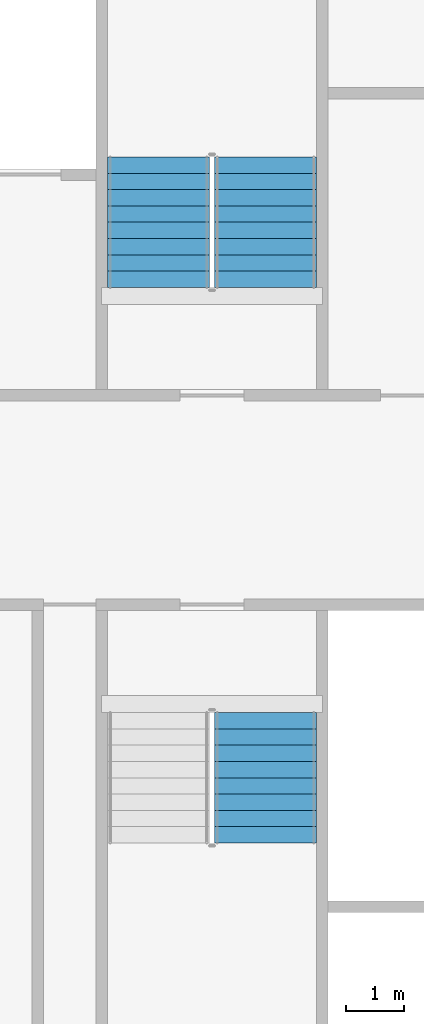
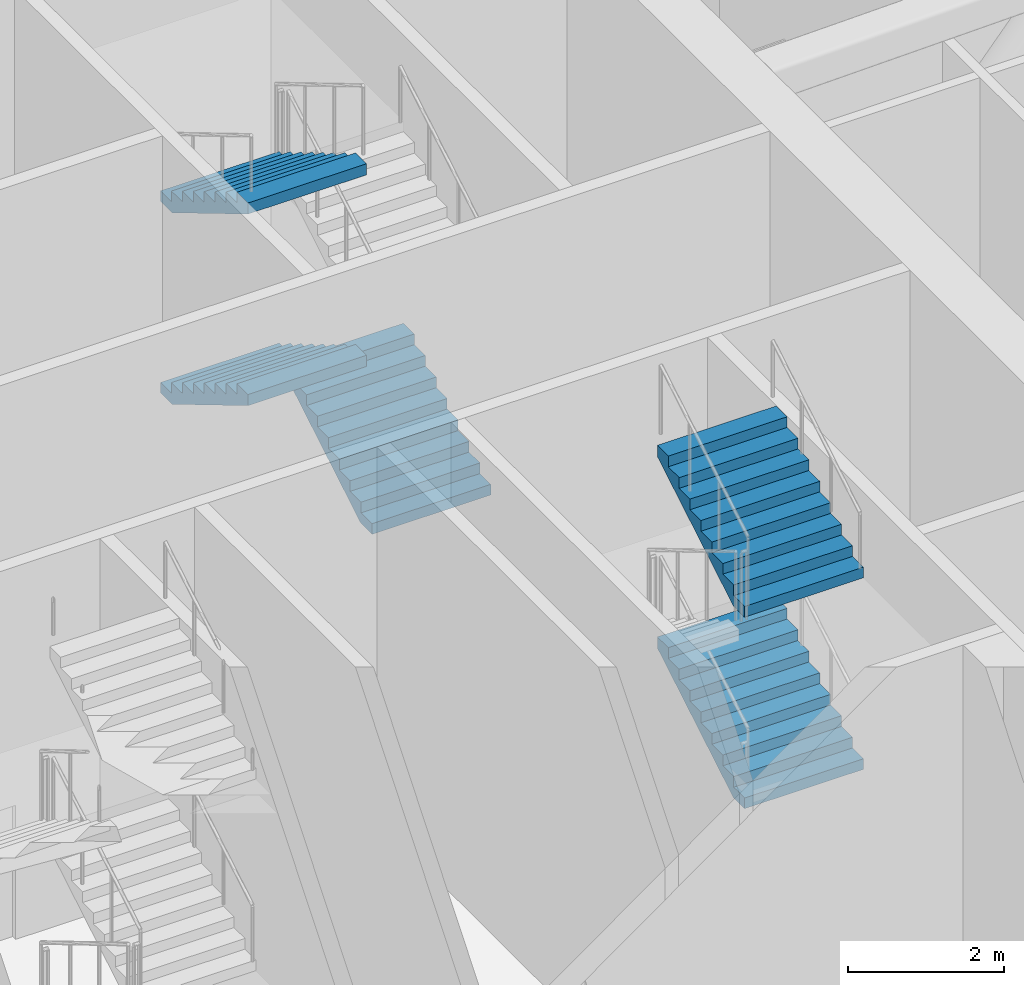
# One storey, part 29 of 36: 5 stair flights, 2 elements without a shape of their own.
"""IFC4 building model written with IfcOpenShell, lengths in metres."""

from ifc_helpers import new_model, si_unit, direction, frame, origin, place, context, subcontext, project, spatial, faceted_brep, material, type_object, element, aggregate, save


model = new_model("IFC4")

# Units and contexts
model_context = context("Model", 3, precision=1e-05, world=origin(), true_north=direction((0.0, 1.0)))
body_context = subcontext(model_context, "Body", "Model", "MODEL_VIEW")
ifc_project = project(units=[si_unit("LENGTHUNIT", "METRE"), si_unit("AREAUNIT", "SQUARE_METRE"), si_unit("VOLUMEUNIT", "CUBIC_METRE"), si_unit("PLANEANGLEUNIT", "RADIAN"), si_unit("MASSUNIT", "GRAM", prefix="KILO")], contexts=[model_context])

# Site, building, storey
site_placement = place(None, origin())
site = spatial("IfcSite", under=ifc_project, at=site_placement, CompositionType="ELEMENT")
building_placement = place(site_placement, origin())
building = spatial("IfcBuilding", under=site, at=building_placement, Name="Tarsis Ring Headquarters", CompositionType="ELEMENT")
storey_placement = place(building_placement, frame((0.0, 0.0, 194.39990234375)))
storey = spatial("IfcBuildingStorey", under=building, at=storey_placement, Name="L45", CompositionType="ELEMENT", Elevation=194.39990234375)

# Stair, stair flights
ifc_material_1 = material(Name="Core stair 1760")
stair_type = type_object("IfcStairType", Name="Core stair 1760", PredefinedType="HALF_TURN_STAIR", material=ifc_material_1)
stair_1_placement = place(storey_placement, origin())
stair_1 = element("IfcStair", 1, at=stair_1_placement, inside=storey, type_object=stair_type, Name="L45 Exit stair B", PredefinedType="HALF_TURN_STAIR")
ifc_material_2 = material(Name="Concrete C40/50", Category="concrete")
stair_flight_type = type_object("IfcStairFlightType", Name="Core stair flight 1760", PredefinedType="STRAIGHT", material=ifc_material_2)
stair_flight_1_placement = place(storey_placement, frame((5.419921875, 3.659912109375, 0.0), z_axis=(0.0, 0.0, 1.0), x_axis=(0.0, 1.0, 0.0)))
stair_flight_1 = element("IfcStairFlight", 2, at=stair_flight_1_placement, type_object=stair_flight_type, Name="Stair ST2 flight 1", NumberOfRisers=9, NumberOfTreads=8, PredefinedType="STRAIGHT", RiserHeight=0.166666667, TreadLength=0.28, context=body_context, shape_type="Brep", body=[
    faceted_brep([(0.0, 0.8798828125, 0.0), (0.0, 0.8798828125, 0.166748046875), (0.280029296875, 0.8798828125, 0.166748046875), (0.280029296875, 0.8798828125, 0.333251953125), (0.56005859375, 0.8798828125, 0.333251953125), (0.56005859375, 0.8798828125, 0.5), (0.840087890625, 0.8798828125, 0.5), (0.840087890625, 0.8798828125, 0.666748046875), (1.1201171875, 0.8798828125, 0.666748046875), (1.1201171875, 0.8798828125, 0.833251953125), (1.39990234375, 0.8798828125, 0.833251953125), (1.39990234375, 0.8798828125, 1.0), (1.679931640625, 0.8798828125, 1.0), (1.679931640625, 0.8798828125, 1.166748046875), (1.9599609375, 0.8798828125, 1.166748046875), (1.9599609375, 0.8798828125, 1.333251953125), (2.239990234375, 0.8798828125, 1.333251953125), (2.239990234375, 0.8798828125, 1.158935546875), (0.29296875, 0.8798828125, 0.0), (0.29296875, -0.8798828125, 0.0), (2.239990234375, -0.8798828125, 1.158935546875), (2.239990234375, -0.8798828125, 1.333251953125), (1.9599609375, -0.8798828125, 1.333251953125), (1.9599609375, -0.8798828125, 1.166748046875), (1.679931640625, -0.8798828125, 1.166748046875), (1.679931640625, -0.8798828125, 1.0), (1.39990234375, -0.8798828125, 1.0), (1.39990234375, -0.8798828125, 0.833251953125), (1.1201171875, -0.8798828125, 0.833251953125), (1.1201171875, -0.8798828125, 0.666748046875), (0.840087890625, -0.8798828125, 0.666748046875), (0.840087890625, -0.8798828125, 0.5), (0.56005859375, -0.8798828125, 0.5), (0.56005859375, -0.8798828125, 0.333251953125), (0.280029296875, -0.8798828125, 0.333251953125), (0.280029296875, -0.8798828125, 0.166748046875), (0.0, -0.8798828125, 0.166748046875), (0.0, -0.8798828125, 0.0), (0.0, -0.43994140625, 0.166748046875), (0.0, -0.43994140625, 0.0), (0.0, 0.0, 0.166748046875), (0.0, 0.0, 0.0), (0.0, 0.43994140625, 0.166748046875), (0.0, 0.43994140625, 0.0), (0.280029296875, -0.43994140625, 0.166748046875), (0.280029296875, 0.0, 0.166748046875), (0.280029296875, 0.43994140625, 0.166748046875), (0.280029296875, -0.43994140625, 0.333251953125), (0.280029296875, 0.0, 0.333251953125), (0.280029296875, 0.43994140625, 0.333251953125), (0.56005859375, -0.43994140625, 0.333251953125), (0.56005859375, 0.0, 0.333251953125), (0.56005859375, 0.43994140625, 0.333251953125), (0.56005859375, -0.43994140625, 0.5), (0.56005859375, 0.0, 0.5), (0.56005859375, 0.43994140625, 0.5), (0.840087890625, -0.43994140625, 0.5), (0.840087890625, 0.0, 0.5), (0.840087890625, 0.43994140625, 0.5), (0.840087890625, -0.43994140625, 0.666748046875), (0.840087890625, 0.0, 0.666748046875), (0.840087890625, 0.43994140625, 0.666748046875), (1.1201171875, -0.43994140625, 0.666748046875), (1.1201171875, 0.0, 0.666748046875), (1.1201171875, 0.43994140625, 0.666748046875), (1.1201171875, -0.43994140625, 0.833251953125), (1.1201171875, 0.0, 0.833251953125), (1.1201171875, 0.43994140625, 0.833251953125), (1.39990234375, -0.43994140625, 0.833251953125), (1.39990234375, 0.0, 0.833251953125), (1.39990234375, 0.43994140625, 0.833251953125), (1.39990234375, -0.43994140625, 1.0), (1.39990234375, 0.0, 1.0), (1.39990234375, 0.43994140625, 1.0), (1.679931640625, -0.43994140625, 1.0), (1.679931640625, 0.0, 1.0), (1.679931640625, 0.43994140625, 1.0), (1.679931640625, -0.43994140625, 1.166748046875), (1.679931640625, 0.0, 1.166748046875), (1.679931640625, 0.43994140625, 1.166748046875), (1.9599609375, -0.43994140625, 1.166748046875), (1.9599609375, 0.0, 1.166748046875), (1.9599609375, 0.43994140625, 1.166748046875), (1.9599609375, -0.43994140625, 1.333251953125), (1.9599609375, 0.0, 1.333251953125), (1.9599609375, 0.43994140625, 1.333251953125), (2.239990234375, -0.43994140625, 1.333251953125), (2.239990234375, 0.0, 1.333251953125), (2.239990234375, 0.43994140625, 1.333251953125), (2.239990234375, -0.43994140625, 1.158935546875), (2.239990234375, 0.0, 1.158935546875), (2.239990234375, 0.43994140625, 1.158935546875), (0.29296875, -0.43994140625, 0.0), (0.29296875, 0.0, 0.0), (0.29296875, 0.43994140625, 0.0)], [[[0, 1, 2, 3, 4, 5, 6, 7, 8, 9, 10, 11, 12, 13, 14, 15, 16, 17, 18]], [[19, 20, 21, 22, 23, 24, 25, 26, 27, 28, 29, 30, 31, 32, 33, 34, 35, 36, 37]], [[37, 36, 38, 39]], [[39, 38, 40, 41]], [[41, 40, 42, 43]], [[43, 42, 1, 0]], [[36, 35, 44, 38]], [[38, 44, 45, 40]], [[40, 45, 46, 42]], [[42, 46, 2, 1]], [[35, 34, 47, 44]], [[44, 47, 48, 45]], [[45, 48, 49, 46]], [[46, 49, 3, 2]], [[34, 33, 50, 47]], [[47, 50, 51, 48]], [[48, 51, 52, 49]], [[49, 52, 4, 3]], [[33, 32, 53, 50]], [[50, 53, 54, 51]], [[51, 54, 55, 52]], [[52, 55, 5, 4]], [[32, 31, 56, 53]], [[53, 56, 57, 54]], [[54, 57, 58, 55]], [[55, 58, 6, 5]], [[31, 30, 59, 56]], [[56, 59, 60, 57]], [[57, 60, 61, 58]], [[58, 61, 7, 6]], [[30, 29, 62, 59]], [[59, 62, 63, 60]], [[60, 63, 64, 61]], [[61, 64, 8, 7]], [[29, 28, 65, 62]], [[62, 65, 66, 63]], [[63, 66, 67, 64]], [[64, 67, 9, 8]], [[28, 27, 68, 65]], [[65, 68, 69, 66]], [[66, 69, 70, 67]], [[67, 70, 10, 9]], [[27, 26, 71, 68]], [[68, 71, 72, 69]], [[69, 72, 73, 70]], [[70, 73, 11, 10]], [[26, 25, 74, 71]], [[71, 74, 75, 72]], [[72, 75, 76, 73]], [[73, 76, 12, 11]], [[25, 24, 77, 74]], [[74, 77, 78, 75]], [[75, 78, 79, 76]], [[76, 79, 13, 12]], [[24, 23, 80, 77]], [[77, 80, 81, 78]], [[78, 81, 82, 79]], [[79, 82, 14, 13]], [[23, 22, 83, 80]], [[80, 83, 84, 81]], [[81, 84, 85, 82]], [[82, 85, 15, 14]], [[22, 21, 86, 83]], [[83, 86, 87, 84]], [[84, 87, 88, 85]], [[85, 88, 16, 15]], [[21, 20, 89, 86]], [[86, 89, 90, 87]], [[87, 90, 91, 88]], [[88, 91, 17, 16]], [[20, 19, 92, 89]], [[89, 92, 93, 90]], [[90, 93, 94, 91]], [[91, 94, 18, 17]], [[19, 37, 39, 92]], [[92, 39, 41, 93]], [[93, 41, 43, 94]], [[94, 43, 0, 18]]]),
])
stair_flight_2_placement = place(storey_placement, frame((3.580078125, 5.89990234375, 1.5), z_axis=(0.0, 0.0, 1.0), x_axis=(0.0, -1.0, 0.0)))
stair_flight_2 = element("IfcStairFlight", 3, at=stair_flight_2_placement, type_object=stair_flight_type, Name="Stair ST2 flight 2", NumberOfRisers=9, NumberOfTreads=8, PredefinedType="STRAIGHT", RiserHeight=0.166666667, TreadLength=0.28, context=body_context, shape_type="Brep", body=[
    faceted_brep([(0.0, 0.8798828125, 0.0), (0.0, 0.8798828125, 0.166748046875), (0.280029296875, 0.8798828125, 0.166748046875), (0.280029296875, 0.8798828125, 0.333251953125), (0.56005859375, 0.8798828125, 0.333251953125), (0.56005859375, 0.8798828125, 0.5), (0.840087890625, 0.8798828125, 0.5), (0.840087890625, 0.8798828125, 0.666748046875), (1.1201171875, 0.8798828125, 0.666748046875), (1.1201171875, 0.8798828125, 0.833251953125), (1.39990234375, 0.8798828125, 0.833251953125), (1.39990234375, 0.8798828125, 1.0), (1.679931640625, 0.8798828125, 1.0), (1.679931640625, 0.8798828125, 1.166748046875), (1.9599609375, 0.8798828125, 1.166748046875), (1.9599609375, 0.8798828125, 1.333251953125), (2.239990234375, 0.8798828125, 1.333251953125), (2.239990234375, 0.8798828125, 1.158935546875), (0.29296875, 0.8798828125, 0.0), (0.29296875, -0.8798828125, 0.0), (2.239990234375, -0.8798828125, 1.158935546875), (2.239990234375, -0.8798828125, 1.333251953125), (1.9599609375, -0.8798828125, 1.333251953125), (1.9599609375, -0.8798828125, 1.166748046875), (1.679931640625, -0.8798828125, 1.166748046875), (1.679931640625, -0.8798828125, 1.0), (1.39990234375, -0.8798828125, 1.0), (1.39990234375, -0.8798828125, 0.833251953125), (1.1201171875, -0.8798828125, 0.833251953125), (1.1201171875, -0.8798828125, 0.666748046875), (0.840087890625, -0.8798828125, 0.666748046875), (0.840087890625, -0.8798828125, 0.5), (0.56005859375, -0.8798828125, 0.5), (0.56005859375, -0.8798828125, 0.333251953125), (0.280029296875, -0.8798828125, 0.333251953125), (0.280029296875, -0.8798828125, 0.166748046875), (0.0, -0.8798828125, 0.166748046875), (0.0, -0.8798828125, 0.0), (0.0, -0.43994140625, 0.166748046875), (0.0, -0.43994140625, 0.0), (0.0, 0.0, 0.166748046875), (0.0, 0.0, 0.0), (0.0, 0.43994140625, 0.166748046875), (0.0, 0.43994140625, 0.0), (0.280029296875, -0.43994140625, 0.166748046875), (0.280029296875, 0.0, 0.166748046875), (0.280029296875, 0.43994140625, 0.166748046875), (0.280029296875, -0.43994140625, 0.333251953125), (0.280029296875, 0.0, 0.333251953125), (0.280029296875, 0.43994140625, 0.333251953125), (0.56005859375, -0.43994140625, 0.333251953125), (0.56005859375, 0.0, 0.333251953125), (0.56005859375, 0.43994140625, 0.333251953125), (0.56005859375, -0.43994140625, 0.5), (0.56005859375, 0.0, 0.5), (0.56005859375, 0.43994140625, 0.5), (0.840087890625, -0.43994140625, 0.5), (0.840087890625, 0.0, 0.5), (0.840087890625, 0.43994140625, 0.5), (0.840087890625, -0.43994140625, 0.666748046875), (0.840087890625, 0.0, 0.666748046875), (0.840087890625, 0.43994140625, 0.666748046875), (1.1201171875, -0.43994140625, 0.666748046875), (1.1201171875, 0.0, 0.666748046875), (1.1201171875, 0.43994140625, 0.666748046875), (1.1201171875, -0.43994140625, 0.833251953125), (1.1201171875, 0.0, 0.833251953125), (1.1201171875, 0.43994140625, 0.833251953125), (1.39990234375, -0.43994140625, 0.833251953125), (1.39990234375, 0.0, 0.833251953125), (1.39990234375, 0.43994140625, 0.833251953125), (1.39990234375, -0.43994140625, 1.0), (1.39990234375, 0.0, 1.0), (1.39990234375, 0.43994140625, 1.0), (1.679931640625, -0.43994140625, 1.0), (1.679931640625, 0.0, 1.0), (1.679931640625, 0.43994140625, 1.0), (1.679931640625, -0.43994140625, 1.166748046875), (1.679931640625, 0.0, 1.166748046875), (1.679931640625, 0.43994140625, 1.166748046875), (1.9599609375, -0.43994140625, 1.166748046875), (1.9599609375, 0.0, 1.166748046875), (1.9599609375, 0.43994140625, 1.166748046875), (1.9599609375, -0.43994140625, 1.333251953125), (1.9599609375, 0.0, 1.333251953125), (1.9599609375, 0.43994140625, 1.333251953125), (2.239990234375, -0.43994140625, 1.333251953125), (2.239990234375, 0.0, 1.333251953125), (2.239990234375, 0.43994140625, 1.333251953125), (2.239990234375, -0.43994140625, 1.158935546875), (2.239990234375, 0.0, 1.158935546875), (2.239990234375, 0.43994140625, 1.158935546875), (0.29296875, -0.43994140625, 0.0), (0.29296875, 0.0, 0.0), (0.29296875, 0.43994140625, 0.0)], [[[0, 1, 2, 3, 4, 5, 6, 7, 8, 9, 10, 11, 12, 13, 14, 15, 16, 17, 18]], [[19, 20, 21, 22, 23, 24, 25, 26, 27, 28, 29, 30, 31, 32, 33, 34, 35, 36, 37]], [[37, 36, 38, 39]], [[39, 38, 40, 41]], [[41, 40, 42, 43]], [[43, 42, 1, 0]], [[36, 35, 44, 38]], [[38, 44, 45, 40]], [[40, 45, 46, 42]], [[42, 46, 2, 1]], [[35, 34, 47, 44]], [[44, 47, 48, 45]], [[45, 48, 49, 46]], [[46, 49, 3, 2]], [[34, 33, 50, 47]], [[47, 50, 51, 48]], [[48, 51, 52, 49]], [[49, 52, 4, 3]], [[33, 32, 53, 50]], [[50, 53, 54, 51]], [[51, 54, 55, 52]], [[52, 55, 5, 4]], [[32, 31, 56, 53]], [[53, 56, 57, 54]], [[54, 57, 58, 55]], [[55, 58, 6, 5]], [[31, 30, 59, 56]], [[56, 59, 60, 57]], [[57, 60, 61, 58]], [[58, 61, 7, 6]], [[30, 29, 62, 59]], [[59, 62, 63, 60]], [[60, 63, 64, 61]], [[61, 64, 8, 7]], [[29, 28, 65, 62]], [[62, 65, 66, 63]], [[63, 66, 67, 64]], [[64, 67, 9, 8]], [[28, 27, 68, 65]], [[65, 68, 69, 66]], [[66, 69, 70, 67]], [[67, 70, 10, 9]], [[27, 26, 71, 68]], [[68, 71, 72, 69]], [[69, 72, 73, 70]], [[70, 73, 11, 10]], [[26, 25, 74, 71]], [[71, 74, 75, 72]], [[72, 75, 76, 73]], [[73, 76, 12, 11]], [[25, 24, 77, 74]], [[74, 77, 78, 75]], [[75, 78, 79, 76]], [[76, 79, 13, 12]], [[24, 23, 80, 77]], [[77, 80, 81, 78]], [[78, 81, 82, 79]], [[79, 82, 14, 13]], [[23, 22, 83, 80]], [[80, 83, 84, 81]], [[81, 84, 85, 82]], [[82, 85, 15, 14]], [[22, 21, 86, 83]], [[83, 86, 87, 84]], [[84, 87, 88, 85]], [[85, 88, 16, 15]], [[21, 20, 89, 86]], [[86, 89, 90, 87]], [[87, 90, 91, 88]], [[88, 91, 17, 16]], [[20, 19, 92, 89]], [[89, 92, 93, 90]], [[90, 93, 94, 91]], [[91, 94, 18, 17]], [[19, 37, 39, 92]], [[92, 39, 41, 93]], [[93, 41, 43, 94]], [[94, 43, 0, 18]]]),
])
stair_flight_3_placement = place(storey_placement, frame((3.580078125, 5.89990234375, 4.5), z_axis=(0.0, 0.0, 1.0), x_axis=(0.0, -1.0, 0.0)))
stair_flight_3 = element("IfcStairFlight", 4, at=stair_flight_3_placement, type_object=stair_flight_type, Name="Stair ST2 flight 4", NumberOfRisers=9, NumberOfTreads=8, PredefinedType="STRAIGHT", RiserHeight=0.166666667, TreadLength=0.28, context=body_context, shape_type="Brep", body=[
    faceted_brep([(0.0, 0.8798828125, 0.0), (0.0, 0.8798828125, 0.166748046875), (0.280029296875, 0.8798828125, 0.166748046875), (0.280029296875, 0.8798828125, 0.333251953125), (0.56005859375, 0.8798828125, 0.333251953125), (0.56005859375, 0.8798828125, 0.5), (0.840087890625, 0.8798828125, 0.5), (0.840087890625, 0.8798828125, 0.666748046875), (1.1201171875, 0.8798828125, 0.666748046875), (1.1201171875, 0.8798828125, 0.833251953125), (1.39990234375, 0.8798828125, 0.833251953125), (1.39990234375, 0.8798828125, 1.0), (1.679931640625, 0.8798828125, 1.0), (1.679931640625, 0.8798828125, 1.166748046875), (1.9599609375, 0.8798828125, 1.166748046875), (1.9599609375, 0.8798828125, 1.333251953125), (2.239990234375, 0.8798828125, 1.333251953125), (2.239990234375, 0.8798828125, 1.158935546875), (0.29296875, 0.8798828125, 0.0), (0.29296875, -0.8798828125, 0.0), (2.239990234375, -0.8798828125, 1.158935546875), (2.239990234375, -0.8798828125, 1.333251953125), (1.9599609375, -0.8798828125, 1.333251953125), (1.9599609375, -0.8798828125, 1.166748046875), (1.679931640625, -0.8798828125, 1.166748046875), (1.679931640625, -0.8798828125, 1.0), (1.39990234375, -0.8798828125, 1.0), (1.39990234375, -0.8798828125, 0.833251953125), (1.1201171875, -0.8798828125, 0.833251953125), (1.1201171875, -0.8798828125, 0.666748046875), (0.840087890625, -0.8798828125, 0.666748046875), (0.840087890625, -0.8798828125, 0.5), (0.56005859375, -0.8798828125, 0.5), (0.56005859375, -0.8798828125, 0.333251953125), (0.280029296875, -0.8798828125, 0.333251953125), (0.280029296875, -0.8798828125, 0.166748046875), (0.0, -0.8798828125, 0.166748046875), (0.0, -0.8798828125, 0.0), (0.0, -0.43994140625, 0.166748046875), (0.0, -0.43994140625, 0.0), (0.0, 0.0, 0.166748046875), (0.0, 0.0, 0.0), (0.0, 0.43994140625, 0.166748046875), (0.0, 0.43994140625, 0.0), (0.280029296875, -0.43994140625, 0.166748046875), (0.280029296875, 0.0, 0.166748046875), (0.280029296875, 0.43994140625, 0.166748046875), (0.280029296875, -0.43994140625, 0.333251953125), (0.280029296875, 0.0, 0.333251953125), (0.280029296875, 0.43994140625, 0.333251953125), (0.56005859375, -0.43994140625, 0.333251953125), (0.56005859375, 0.0, 0.333251953125), (0.56005859375, 0.43994140625, 0.333251953125), (0.56005859375, -0.43994140625, 0.5), (0.56005859375, 0.0, 0.5), (0.56005859375, 0.43994140625, 0.5), (0.840087890625, -0.43994140625, 0.5), (0.840087890625, 0.0, 0.5), (0.840087890625, 0.43994140625, 0.5), (0.840087890625, -0.43994140625, 0.666748046875), (0.840087890625, 0.0, 0.666748046875), (0.840087890625, 0.43994140625, 0.666748046875), (1.1201171875, -0.43994140625, 0.666748046875), (1.1201171875, 0.0, 0.666748046875), (1.1201171875, 0.43994140625, 0.666748046875), (1.1201171875, -0.43994140625, 0.833251953125), (1.1201171875, 0.0, 0.833251953125), (1.1201171875, 0.43994140625, 0.833251953125), (1.39990234375, -0.43994140625, 0.833251953125), (1.39990234375, 0.0, 0.833251953125), (1.39990234375, 0.43994140625, 0.833251953125), (1.39990234375, -0.43994140625, 1.0), (1.39990234375, 0.0, 1.0), (1.39990234375, 0.43994140625, 1.0), (1.679931640625, -0.43994140625, 1.0), (1.679931640625, 0.0, 1.0), (1.679931640625, 0.43994140625, 1.0), (1.679931640625, -0.43994140625, 1.166748046875), (1.679931640625, 0.0, 1.166748046875), (1.679931640625, 0.43994140625, 1.166748046875), (1.9599609375, -0.43994140625, 1.166748046875), (1.9599609375, 0.0, 1.166748046875), (1.9599609375, 0.43994140625, 1.166748046875), (1.9599609375, -0.43994140625, 1.333251953125), (1.9599609375, 0.0, 1.333251953125), (1.9599609375, 0.43994140625, 1.333251953125), (2.239990234375, -0.43994140625, 1.333251953125), (2.239990234375, 0.0, 1.333251953125), (2.239990234375, 0.43994140625, 1.333251953125), (2.239990234375, -0.43994140625, 1.158935546875), (2.239990234375, 0.0, 1.158935546875), (2.239990234375, 0.43994140625, 1.158935546875), (0.29296875, -0.43994140625, 0.0), (0.29296875, 0.0, 0.0), (0.29296875, 0.43994140625, 0.0)], [[[0, 1, 2, 3, 4, 5, 6, 7, 8, 9, 10, 11, 12, 13, 14, 15, 16, 17, 18]], [[19, 20, 21, 22, 23, 24, 25, 26, 27, 28, 29, 30, 31, 32, 33, 34, 35, 36, 37]], [[37, 36, 38, 39]], [[39, 38, 40, 41]], [[41, 40, 42, 43]], [[43, 42, 1, 0]], [[36, 35, 44, 38]], [[38, 44, 45, 40]], [[40, 45, 46, 42]], [[42, 46, 2, 1]], [[35, 34, 47, 44]], [[44, 47, 48, 45]], [[45, 48, 49, 46]], [[46, 49, 3, 2]], [[34, 33, 50, 47]], [[47, 50, 51, 48]], [[48, 51, 52, 49]], [[49, 52, 4, 3]], [[33, 32, 53, 50]], [[50, 53, 54, 51]], [[51, 54, 55, 52]], [[52, 55, 5, 4]], [[32, 31, 56, 53]], [[53, 56, 57, 54]], [[54, 57, 58, 55]], [[55, 58, 6, 5]], [[31, 30, 59, 56]], [[56, 59, 60, 57]], [[57, 60, 61, 58]], [[58, 61, 7, 6]], [[30, 29, 62, 59]], [[59, 62, 63, 60]], [[60, 63, 64, 61]], [[61, 64, 8, 7]], [[29, 28, 65, 62]], [[62, 65, 66, 63]], [[63, 66, 67, 64]], [[64, 67, 9, 8]], [[28, 27, 68, 65]], [[65, 68, 69, 66]], [[66, 69, 70, 67]], [[67, 70, 10, 9]], [[27, 26, 71, 68]], [[68, 71, 72, 69]], [[69, 72, 73, 70]], [[70, 73, 11, 10]], [[26, 25, 74, 71]], [[71, 74, 75, 72]], [[72, 75, 76, 73]], [[73, 76, 12, 11]], [[25, 24, 77, 74]], [[74, 77, 78, 75]], [[75, 78, 79, 76]], [[76, 79, 13, 12]], [[24, 23, 80, 77]], [[77, 80, 81, 78]], [[78, 81, 82, 79]], [[79, 82, 14, 13]], [[23, 22, 83, 80]], [[80, 83, 84, 81]], [[81, 84, 85, 82]], [[82, 85, 15, 14]], [[22, 21, 86, 83]], [[83, 86, 87, 84]], [[84, 87, 88, 85]], [[85, 88, 16, 15]], [[21, 20, 89, 86]], [[86, 89, 90, 87]], [[87, 90, 91, 88]], [[88, 91, 17, 16]], [[20, 19, 92, 89]], [[89, 92, 93, 90]], [[90, 93, 94, 91]], [[91, 94, 18, 17]], [[19, 37, 39, 92]], [[92, 39, 41, 93]], [[93, 41, 43, 94]], [[94, 43, 0, 18]]]),
])
aggregate(stair_1, [stair_flight_1, stair_flight_2, stair_flight_3])

stair_2_placement = place(storey_placement, origin())
stair_2 = element("IfcStair", 5, at=stair_2_placement, inside=storey, type_object=stair_type, Name="L45 Exit stair D", PredefinedType="HALF_TURN_STAIR")
stair_flight_4_placement = place(storey_placement, frame((5.419921875, -5.89990234375, 1.5), z_axis=(0.0, 0.0, 1.0), x_axis=(0.0, 1.0, 0.0)))
stair_flight_4 = element("IfcStairFlight", 6, at=stair_flight_4_placement, type_object=stair_flight_type, Name="Stair ST4 flight 2", NumberOfRisers=9, NumberOfTreads=8, PredefinedType="STRAIGHT", RiserHeight=0.166666667, TreadLength=0.28, context=body_context, shape_type="Brep", body=[
    faceted_brep([(0.0, 0.8798828125, 0.0), (0.0, 0.8798828125, 0.166748046875), (0.280029296875, 0.8798828125, 0.166748046875), (0.280029296875, 0.8798828125, 0.333251953125), (0.56005859375, 0.8798828125, 0.333251953125), (0.56005859375, 0.8798828125, 0.5), (0.840087890625, 0.8798828125, 0.5), (0.840087890625, 0.8798828125, 0.666748046875), (1.1201171875, 0.8798828125, 0.666748046875), (1.1201171875, 0.8798828125, 0.833251953125), (1.39990234375, 0.8798828125, 0.833251953125), (1.39990234375, 0.8798828125, 1.0), (1.679931640625, 0.8798828125, 1.0), (1.679931640625, 0.8798828125, 1.166748046875), (1.9599609375, 0.8798828125, 1.166748046875), (1.9599609375, 0.8798828125, 1.333251953125), (2.239990234375, 0.8798828125, 1.333251953125), (2.239990234375, 0.8798828125, 1.158935546875), (0.29296875, 0.8798828125, 0.0), (0.29296875, -0.8798828125, 0.0), (2.239990234375, -0.8798828125, 1.158935546875), (2.239990234375, -0.8798828125, 1.333251953125), (1.9599609375, -0.8798828125, 1.333251953125), (1.9599609375, -0.8798828125, 1.166748046875), (1.679931640625, -0.8798828125, 1.166748046875), (1.679931640625, -0.8798828125, 1.0), (1.39990234375, -0.8798828125, 1.0), (1.39990234375, -0.8798828125, 0.833251953125), (1.1201171875, -0.8798828125, 0.833251953125), (1.1201171875, -0.8798828125, 0.666748046875), (0.840087890625, -0.8798828125, 0.666748046875), (0.840087890625, -0.8798828125, 0.5), (0.56005859375, -0.8798828125, 0.5), (0.56005859375, -0.8798828125, 0.333251953125), (0.280029296875, -0.8798828125, 0.333251953125), (0.280029296875, -0.8798828125, 0.166748046875), (0.0, -0.8798828125, 0.166748046875), (0.0, -0.8798828125, 0.0), (0.0, -0.43994140625, 0.166748046875), (0.0, -0.43994140625, 0.0), (0.0, 0.0, 0.166748046875), (0.0, 0.0, 0.0), (0.0, 0.43994140625, 0.166748046875), (0.0, 0.43994140625, 0.0), (0.280029296875, -0.43994140625, 0.166748046875), (0.280029296875, 0.0, 0.166748046875), (0.280029296875, 0.43994140625, 0.166748046875), (0.280029296875, -0.43994140625, 0.333251953125), (0.280029296875, 0.0, 0.333251953125), (0.280029296875, 0.43994140625, 0.333251953125), (0.56005859375, -0.43994140625, 0.333251953125), (0.56005859375, 0.0, 0.333251953125), (0.56005859375, 0.43994140625, 0.333251953125), (0.56005859375, -0.43994140625, 0.5), (0.56005859375, 0.0, 0.5), (0.56005859375, 0.43994140625, 0.5), (0.840087890625, -0.43994140625, 0.5), (0.840087890625, 0.0, 0.5), (0.840087890625, 0.43994140625, 0.5), (0.840087890625, -0.43994140625, 0.666748046875), (0.840087890625, 0.0, 0.666748046875), (0.840087890625, 0.43994140625, 0.666748046875), (1.1201171875, -0.43994140625, 0.666748046875), (1.1201171875, 0.0, 0.666748046875), (1.1201171875, 0.43994140625, 0.666748046875), (1.1201171875, -0.43994140625, 0.833251953125), (1.1201171875, 0.0, 0.833251953125), (1.1201171875, 0.43994140625, 0.833251953125), (1.39990234375, -0.43994140625, 0.833251953125), (1.39990234375, 0.0, 0.833251953125), (1.39990234375, 0.43994140625, 0.833251953125), (1.39990234375, -0.43994140625, 1.0), (1.39990234375, 0.0, 1.0), (1.39990234375, 0.43994140625, 1.0), (1.679931640625, -0.43994140625, 1.0), (1.679931640625, 0.0, 1.0), (1.679931640625, 0.43994140625, 1.0), (1.679931640625, -0.43994140625, 1.166748046875), (1.679931640625, 0.0, 1.166748046875), (1.679931640625, 0.43994140625, 1.166748046875), (1.9599609375, -0.43994140625, 1.166748046875), (1.9599609375, 0.0, 1.166748046875), (1.9599609375, 0.43994140625, 1.166748046875), (1.9599609375, -0.43994140625, 1.333251953125), (1.9599609375, 0.0, 1.333251953125), (1.9599609375, 0.43994140625, 1.333251953125), (2.239990234375, -0.43994140625, 1.333251953125), (2.239990234375, 0.0, 1.333251953125), (2.239990234375, 0.43994140625, 1.333251953125), (2.239990234375, -0.43994140625, 1.158935546875), (2.239990234375, 0.0, 1.158935546875), (2.239990234375, 0.43994140625, 1.158935546875), (0.29296875, -0.43994140625, 0.0), (0.29296875, 0.0, 0.0), (0.29296875, 0.43994140625, 0.0)], [[[0, 1, 2, 3, 4, 5, 6, 7, 8, 9, 10, 11, 12, 13, 14, 15, 16, 17, 18]], [[19, 20, 21, 22, 23, 24, 25, 26, 27, 28, 29, 30, 31, 32, 33, 34, 35, 36, 37]], [[37, 36, 38, 39]], [[39, 38, 40, 41]], [[41, 40, 42, 43]], [[43, 42, 1, 0]], [[36, 35, 44, 38]], [[38, 44, 45, 40]], [[40, 45, 46, 42]], [[42, 46, 2, 1]], [[35, 34, 47, 44]], [[44, 47, 48, 45]], [[45, 48, 49, 46]], [[46, 49, 3, 2]], [[34, 33, 50, 47]], [[47, 50, 51, 48]], [[48, 51, 52, 49]], [[49, 52, 4, 3]], [[33, 32, 53, 50]], [[50, 53, 54, 51]], [[51, 54, 55, 52]], [[52, 55, 5, 4]], [[32, 31, 56, 53]], [[53, 56, 57, 54]], [[54, 57, 58, 55]], [[55, 58, 6, 5]], [[31, 30, 59, 56]], [[56, 59, 60, 57]], [[57, 60, 61, 58]], [[58, 61, 7, 6]], [[30, 29, 62, 59]], [[59, 62, 63, 60]], [[60, 63, 64, 61]], [[61, 64, 8, 7]], [[29, 28, 65, 62]], [[62, 65, 66, 63]], [[63, 66, 67, 64]], [[64, 67, 9, 8]], [[28, 27, 68, 65]], [[65, 68, 69, 66]], [[66, 69, 70, 67]], [[67, 70, 10, 9]], [[27, 26, 71, 68]], [[68, 71, 72, 69]], [[69, 72, 73, 70]], [[70, 73, 11, 10]], [[26, 25, 74, 71]], [[71, 74, 75, 72]], [[72, 75, 76, 73]], [[73, 76, 12, 11]], [[25, 24, 77, 74]], [[74, 77, 78, 75]], [[75, 78, 79, 76]], [[76, 79, 13, 12]], [[24, 23, 80, 77]], [[77, 80, 81, 78]], [[78, 81, 82, 79]], [[79, 82, 14, 13]], [[23, 22, 83, 80]], [[80, 83, 84, 81]], [[81, 84, 85, 82]], [[82, 85, 15, 14]], [[22, 21, 86, 83]], [[83, 86, 87, 84]], [[84, 87, 88, 85]], [[85, 88, 16, 15]], [[21, 20, 89, 86]], [[86, 89, 90, 87]], [[87, 90, 91, 88]], [[88, 91, 17, 16]], [[20, 19, 92, 89]], [[89, 92, 93, 90]], [[90, 93, 94, 91]], [[91, 94, 18, 17]], [[19, 37, 39, 92]], [[92, 39, 41, 93]], [[93, 41, 43, 94]], [[94, 43, 0, 18]]]),
])
stair_flight_5_placement = place(storey_placement, frame((5.419921875, -5.89990234375, 4.5), z_axis=(0.0, 0.0, 1.0), x_axis=(0.0, 1.0, 0.0)))
stair_flight_5 = element("IfcStairFlight", 7, at=stair_flight_5_placement, type_object=stair_flight_type, Name="Stair ST4 flight 4", NumberOfRisers=9, NumberOfTreads=8, PredefinedType="STRAIGHT", RiserHeight=0.166666667, TreadLength=0.28, context=body_context, shape_type="Brep", body=[
    faceted_brep([(0.0, 0.8798828125, 0.0), (0.0, 0.8798828125, 0.166748046875), (0.280029296875, 0.8798828125, 0.166748046875), (0.280029296875, 0.8798828125, 0.333251953125), (0.56005859375, 0.8798828125, 0.333251953125), (0.56005859375, 0.8798828125, 0.5), (0.840087890625, 0.8798828125, 0.5), (0.840087890625, 0.8798828125, 0.666748046875), (1.1201171875, 0.8798828125, 0.666748046875), (1.1201171875, 0.8798828125, 0.833251953125), (1.39990234375, 0.8798828125, 0.833251953125), (1.39990234375, 0.8798828125, 1.0), (1.679931640625, 0.8798828125, 1.0), (1.679931640625, 0.8798828125, 1.166748046875), (1.9599609375, 0.8798828125, 1.166748046875), (1.9599609375, 0.8798828125, 1.333251953125), (2.239990234375, 0.8798828125, 1.333251953125), (2.239990234375, 0.8798828125, 1.158935546875), (0.29296875, 0.8798828125, 0.0), (0.29296875, -0.8798828125, 0.0), (2.239990234375, -0.8798828125, 1.158935546875), (2.239990234375, -0.8798828125, 1.333251953125), (1.9599609375, -0.8798828125, 1.333251953125), (1.9599609375, -0.8798828125, 1.166748046875), (1.679931640625, -0.8798828125, 1.166748046875), (1.679931640625, -0.8798828125, 1.0), (1.39990234375, -0.8798828125, 1.0), (1.39990234375, -0.8798828125, 0.833251953125), (1.1201171875, -0.8798828125, 0.833251953125), (1.1201171875, -0.8798828125, 0.666748046875), (0.840087890625, -0.8798828125, 0.666748046875), (0.840087890625, -0.8798828125, 0.5), (0.56005859375, -0.8798828125, 0.5), (0.56005859375, -0.8798828125, 0.333251953125), (0.280029296875, -0.8798828125, 0.333251953125), (0.280029296875, -0.8798828125, 0.166748046875), (0.0, -0.8798828125, 0.166748046875), (0.0, -0.8798828125, 0.0), (0.0, -0.43994140625, 0.166748046875), (0.0, -0.43994140625, 0.0), (0.0, 0.0, 0.166748046875), (0.0, 0.0, 0.0), (0.0, 0.43994140625, 0.166748046875), (0.0, 0.43994140625, 0.0), (0.280029296875, -0.43994140625, 0.166748046875), (0.280029296875, 0.0, 0.166748046875), (0.280029296875, 0.43994140625, 0.166748046875), (0.280029296875, -0.43994140625, 0.333251953125), (0.280029296875, 0.0, 0.333251953125), (0.280029296875, 0.43994140625, 0.333251953125), (0.56005859375, -0.43994140625, 0.333251953125), (0.56005859375, 0.0, 0.333251953125), (0.56005859375, 0.43994140625, 0.333251953125), (0.56005859375, -0.43994140625, 0.5), (0.56005859375, 0.0, 0.5), (0.56005859375, 0.43994140625, 0.5), (0.840087890625, -0.43994140625, 0.5), (0.840087890625, 0.0, 0.5), (0.840087890625, 0.43994140625, 0.5), (0.840087890625, -0.43994140625, 0.666748046875), (0.840087890625, 0.0, 0.666748046875), (0.840087890625, 0.43994140625, 0.666748046875), (1.1201171875, -0.43994140625, 0.666748046875), (1.1201171875, 0.0, 0.666748046875), (1.1201171875, 0.43994140625, 0.666748046875), (1.1201171875, -0.43994140625, 0.833251953125), (1.1201171875, 0.0, 0.833251953125), (1.1201171875, 0.43994140625, 0.833251953125), (1.39990234375, -0.43994140625, 0.833251953125), (1.39990234375, 0.0, 0.833251953125), (1.39990234375, 0.43994140625, 0.833251953125), (1.39990234375, -0.43994140625, 1.0), (1.39990234375, 0.0, 1.0), (1.39990234375, 0.43994140625, 1.0), (1.679931640625, -0.43994140625, 1.0), (1.679931640625, 0.0, 1.0), (1.679931640625, 0.43994140625, 1.0), (1.679931640625, -0.43994140625, 1.166748046875), (1.679931640625, 0.0, 1.166748046875), (1.679931640625, 0.43994140625, 1.166748046875), (1.9599609375, -0.43994140625, 1.166748046875), (1.9599609375, 0.0, 1.166748046875), (1.9599609375, 0.43994140625, 1.166748046875), (1.9599609375, -0.43994140625, 1.333251953125), (1.9599609375, 0.0, 1.333251953125), (1.9599609375, 0.43994140625, 1.333251953125), (2.239990234375, -0.43994140625, 1.333251953125), (2.239990234375, 0.0, 1.333251953125), (2.239990234375, 0.43994140625, 1.333251953125), (2.239990234375, -0.43994140625, 1.158935546875), (2.239990234375, 0.0, 1.158935546875), (2.239990234375, 0.43994140625, 1.158935546875), (0.29296875, -0.43994140625, 0.0), (0.29296875, 0.0, 0.0), (0.29296875, 0.43994140625, 0.0)], [[[0, 1, 2, 3, 4, 5, 6, 7, 8, 9, 10, 11, 12, 13, 14, 15, 16, 17, 18]], [[19, 20, 21, 22, 23, 24, 25, 26, 27, 28, 29, 30, 31, 32, 33, 34, 35, 36, 37]], [[37, 36, 38, 39]], [[39, 38, 40, 41]], [[41, 40, 42, 43]], [[43, 42, 1, 0]], [[36, 35, 44, 38]], [[38, 44, 45, 40]], [[40, 45, 46, 42]], [[42, 46, 2, 1]], [[35, 34, 47, 44]], [[44, 47, 48, 45]], [[45, 48, 49, 46]], [[46, 49, 3, 2]], [[34, 33, 50, 47]], [[47, 50, 51, 48]], [[48, 51, 52, 49]], [[49, 52, 4, 3]], [[33, 32, 53, 50]], [[50, 53, 54, 51]], [[51, 54, 55, 52]], [[52, 55, 5, 4]], [[32, 31, 56, 53]], [[53, 56, 57, 54]], [[54, 57, 58, 55]], [[55, 58, 6, 5]], [[31, 30, 59, 56]], [[56, 59, 60, 57]], [[57, 60, 61, 58]], [[58, 61, 7, 6]], [[30, 29, 62, 59]], [[59, 62, 63, 60]], [[60, 63, 64, 61]], [[61, 64, 8, 7]], [[29, 28, 65, 62]], [[62, 65, 66, 63]], [[63, 66, 67, 64]], [[64, 67, 9, 8]], [[28, 27, 68, 65]], [[65, 68, 69, 66]], [[66, 69, 70, 67]], [[67, 70, 10, 9]], [[27, 26, 71, 68]], [[68, 71, 72, 69]], [[69, 72, 73, 70]], [[70, 73, 11, 10]], [[26, 25, 74, 71]], [[71, 74, 75, 72]], [[72, 75, 76, 73]], [[73, 76, 12, 11]], [[25, 24, 77, 74]], [[74, 77, 78, 75]], [[75, 78, 79, 76]], [[76, 79, 13, 12]], [[24, 23, 80, 77]], [[77, 80, 81, 78]], [[78, 81, 82, 79]], [[79, 82, 14, 13]], [[23, 22, 83, 80]], [[80, 83, 84, 81]], [[81, 84, 85, 82]], [[82, 85, 15, 14]], [[22, 21, 86, 83]], [[83, 86, 87, 84]], [[84, 87, 88, 85]], [[85, 88, 16, 15]], [[21, 20, 89, 86]], [[86, 89, 90, 87]], [[87, 90, 91, 88]], [[88, 91, 17, 16]], [[20, 19, 92, 89]], [[89, 92, 93, 90]], [[90, 93, 94, 91]], [[91, 94, 18, 17]], [[19, 37, 39, 92]], [[92, 39, 41, 93]], [[93, 41, 43, 94]], [[94, 43, 0, 18]]]),
])
aggregate(stair_2, [stair_flight_4, stair_flight_5])

save(model, "model.ifc")
